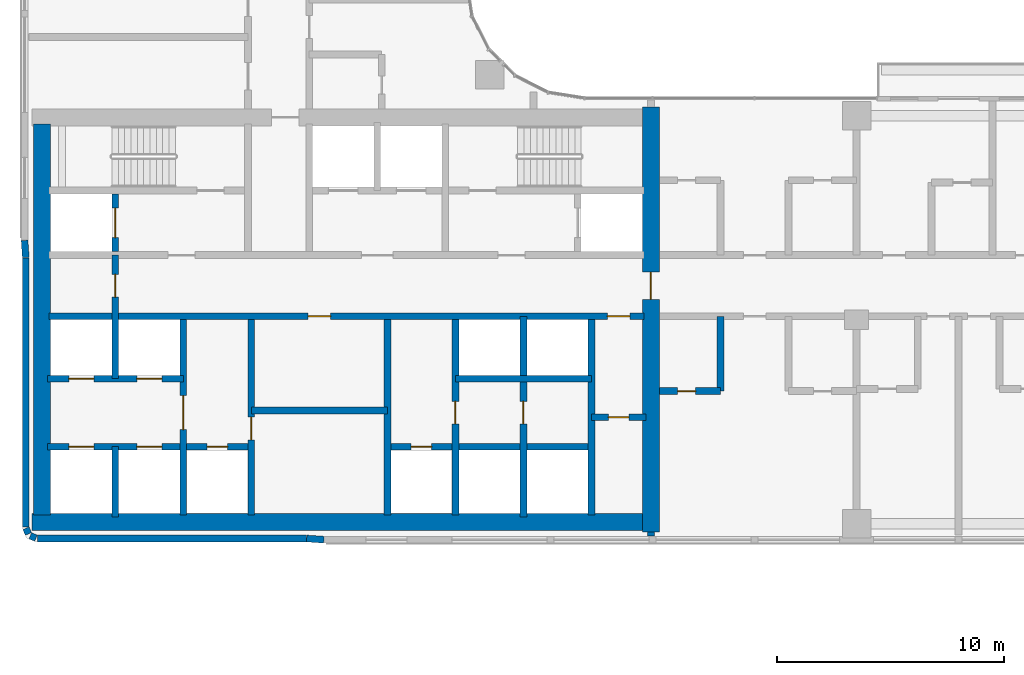
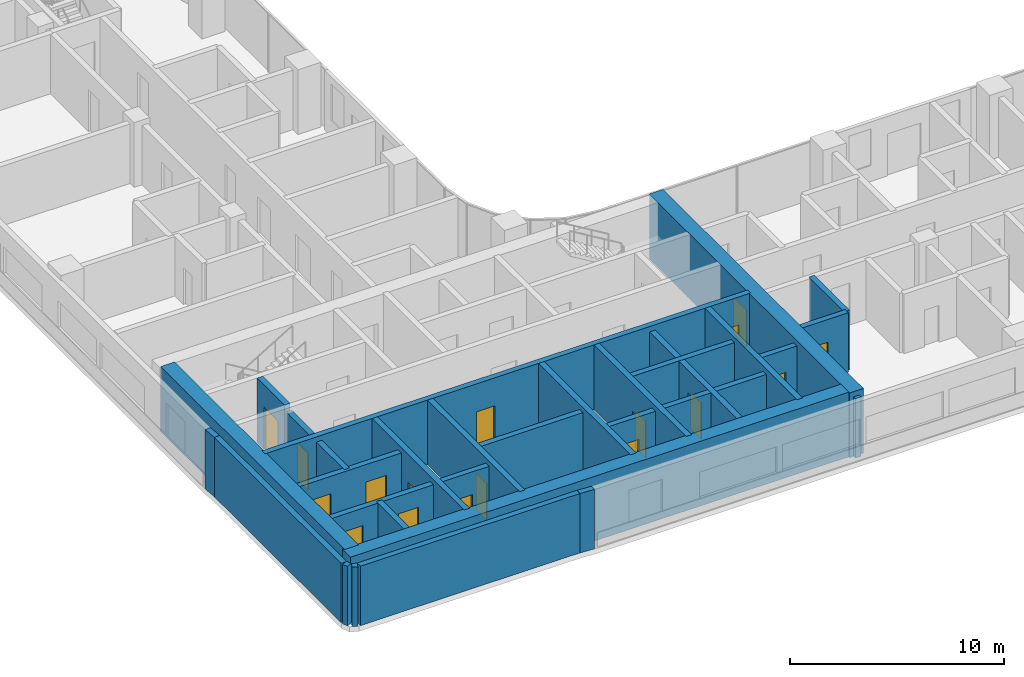
# One storey, part 18 of 35: 28 walls, 17 doors, 17 openings.
"""IFC4 building model written with IfcOpenShell, lengths in metres."""

import ifcopenshell
import ifcopenshell.guid

model = None  # the IFC model being written
_history = None  # IfcOwnerHistory: only IFC2X3 demands one
_inside = {}  # id of a spatial element -> (the spatial element, [elements in it])
_under = {}  # id of a project, library or spatial element -> (it, [spatial elements below it])
_declared = {}  # id of a project -> (the project, [libraries it declares])
_typed = {}  # id of a type object -> (the type object, [elements of that type])
_made_of = {}  # id of a material, layer set ... -> (it, [elements and type objects made of it])


def new_model(schema):
    """Start an empty IFC model of exactly this schema.

    Asked for "IFC4X3", IfcOpenShell would pick the latest addendum, in which some entities
    have other attributes; the version numbers below select the first issue.
    IFC2X3 requires an IfcOwnerHistory on every rooted entity: one is made here for all.
    """
    global model, _history
    if schema == "IFC4X3":
        model = ifcopenshell.file(schema_version=(4, 3, 0, 0))
    else:
        model = ifcopenshell.file(schema=schema)
    _inside.clear()
    _under.clear()
    _declared.clear()
    _typed.clear()
    _made_of.clear()
    _history = None
    if model.schema == "IFC2X3":
        org = make("IfcOrganization", Name="unknown")
        user = make(
            "IfcPersonAndOrganization",
            ThePerson=make("IfcPerson", FamilyName="unknown"),
            TheOrganization=org,
        )
        app = make(
            "IfcApplication",
            ApplicationDeveloper=org,
            Version="unknown",
            ApplicationFullName="unknown",
            ApplicationIdentifier="unknown",
        )
        _history = make(
            "IfcOwnerHistory",
            OwningUser=user,
            OwningApplication=app,
            ChangeAction="ADDED",
            CreationDate=0,
        )
    return model


def make(cls, **values):
    """One entity of the class cls with the attributes given. An attribute that is None is left unset."""
    return model.create_entity(
        cls, **{name: value for name, value in values.items() if value is not None}
    )


def rooted(cls, **values):
    """An entity with a GlobalId (a new one), such as an element, a storey or a relation."""
    return make(cls, GlobalId=ifcopenshell.guid.new(), OwnerHistory=_history, **values)


def si_unit(unit_type, name, prefix=None):
    """IfcSIUnit, for example si_unit("LENGTHUNIT", "METRE", prefix="MILLI")."""
    return make("IfcSIUnit", UnitType=unit_type, Prefix=prefix, Name=name)


def assignment(units):
    """IfcUnitAssignment: the units of a project."""
    return None if units is None else make("IfcUnitAssignment", Units=units)


def point(xyz):
    """IfcCartesianPoint."""
    return None if xyz is None else make("IfcCartesianPoint", Coordinates=xyz)


def direction(xyz):
    """IfcDirection."""
    return None if xyz is None else make("IfcDirection", DirectionRatios=xyz)


def frame(location, z_axis=None, x_axis=None):
    """IfcAxis2Placement3D, a coordinate frame: its origin and axes. An axis left out is left unset."""
    return make(
        "IfcAxis2Placement3D",
        Location=point(location),
        Axis=direction(z_axis),
        RefDirection=direction(x_axis),
    )


def frame_2d(location, x_axis=None):
    """IfcAxis2Placement2D, a coordinate frame in the plane: its origin and x axis."""
    return make(
        "IfcAxis2Placement2D", Location=point(location), RefDirection=direction(x_axis)
    )


def origin():
    """The frame at (0, 0, 0) with its axes left unset."""
    return frame((0.0, 0.0, 0.0))


def place(relative_to, where):
    """IfcLocalPlacement: puts the frame where relative to a parent placement (None: the world)."""
    return make(
        "IfcLocalPlacement", PlacementRelTo=relative_to, RelativePlacement=where
    )


def context(
    kind, dimensions, precision=None, world=None, true_north=None, identifier=None
):
    """IfcGeometricRepresentationContext, for example the 3D "Model" context."""
    return make(
        "IfcGeometricRepresentationContext",
        ContextIdentifier=identifier,
        ContextType=kind,
        CoordinateSpaceDimension=dimensions,
        Precision=precision,
        WorldCoordinateSystem=world,
        TrueNorth=true_north,
    )


def subcontext(parent, identifier, kind, view, scale=None):
    """IfcGeometricRepresentationSubContext, for example "Body" below "Model"."""
    return make(
        "IfcGeometricRepresentationSubContext",
        ContextIdentifier=identifier,
        ContextType=kind,
        ParentContext=parent,
        TargetScale=scale,
        TargetView=view,
    )


def project(units=None, contexts=None):
    """IfcProject with its units and contexts."""
    return rooted(
        "IfcProject",
        Name="project",
        RepresentationContexts=contexts,
        UnitsInContext=assignment(units),
    )


def spatial(cls, under=None, at=None, **own):
    """A site, building, storey or space (cls), placed at a placement, below another one or the project."""
    s = rooted(cls, ObjectPlacement=at, **own)
    if under is not None:
        _under.setdefault(under.id(), (under, []))[1].append(s)
    return s


def profile(cls, at=None, kind="AREA", **sizes):
    """A parametric profile (cls). Its sizes go by their IFC names, for example OverallWidth=200.0."""
    return make(cls, ProfileType=kind, Position=at, **sizes)


def rectangle(**sizes):
    """IfcRectangleProfileDef."""
    return profile("IfcRectangleProfileDef", **sizes)


def extrude(swept, where, along, depth):
    """IfcExtrudedAreaSolid: the profile swept, set in the frame where, extruded along a direction by depth."""
    return make(
        "IfcExtrudedAreaSolid",
        SweptArea=swept,
        Position=where,
        ExtrudedDirection=direction(along),
        Depth=depth,
    )


def shape(context_of_items, identifier, shape_type, items):
    """IfcShapeRepresentation: the items that make up one representation, for example the "Body"."""
    return make(
        "IfcShapeRepresentation",
        ContextOfItems=context_of_items,
        RepresentationIdentifier=identifier,
        RepresentationType=shape_type,
        Items=items,
    )


def material(Name=None, Category=None):
    """IfcMaterial."""
    return make("IfcMaterial", Name=Name, Category=Category)


def layer(
    of_material, thickness, ventilated=None, Name=None, Category=None, Priority=None
):
    """IfcMaterialLayer: one layer of a wall or slab, of a material (None: an air gap)."""
    return make(
        "IfcMaterialLayer",
        Material=of_material,
        LayerThickness=thickness,
        IsVentilated=ventilated,
        Name=Name,
        Category=Category,
        Priority=Priority,
    )


def layer_set(layers, Name=None):
    """IfcMaterialLayerSet."""
    return make("IfcMaterialLayerSet", MaterialLayers=layers, LayerSetName=Name)


def made_of(thing, what):
    """Note that an element or type object is made of a material, layer set ...; save() writes the relation."""
    if what is not None:
        _made_of.setdefault(what.id(), (what, []))[1].append(thing)
    return thing


def type_object(cls, material=None, **own):
    """A type object (cls), such as IfcWallType, which elements share."""
    return made_of(rooted(cls, **own), material)


def element(
    cls,
    number,
    at=None,
    inside=None,
    cuts=None,
    type_object=None,
    material=None,
    context=None,
    identifier="Body",
    shape_type=None,
    held_by="IfcProductDefinitionShape",
    body=None,
    shapes=None,
    **own,
):
    """One element of the class cls, such as IfcWall. Its Tag is "e" and its number.

    at: its placement. inside: the storey or other place that contains it. cuts: it is an
    opening in that element (IfcRelVoidsElement). A single representation is given by context,
    identifier, shape_type and body (its items); several are given by shapes. held_by: the class
    of the entity that holds the representations. save() writes the other relations.
    """
    e = rooted(cls, Tag="e%d" % number, ObjectPlacement=at, **own)
    if body is not None:
        shapes = [shape(context, identifier, shape_type, body)]
    if shapes is not None:
        e.Representation = make(held_by, Representations=shapes)
    if inside is not None:
        _inside.setdefault(inside.id(), (inside, []))[1].append(e)
    if cuts is not None:
        rooted(
            "IfcRelVoidsElement", RelatingBuildingElement=cuts, RelatedOpeningElement=e
        )
    if type_object is not None:
        _typed.setdefault(type_object.id(), (type_object, []))[1].append(e)
    return made_of(e, material)


def fill(opening, filler):
    """IfcRelFillsElement: the door or window that sits in an opening."""
    return rooted(
        "IfcRelFillsElement",
        RelatingOpeningElement=opening,
        RelatedBuildingElement=filler,
    )


def aggregate(whole, parts):
    """IfcRelAggregates: a whole, such as a stair, and the parts it consists of."""
    return rooted("IfcRelAggregates", RelatingObject=whole, RelatedObjects=parts)


def save(model, path):
    """Write the relations noted so far, then the file.

    IfcRelAggregates (storeys below a building ...), IfcRelContainedInSpatialStructure (elements
    in a storey), IfcRelDefinesByType, IfcRelAssociatesMaterial and IfcRelDeclares: one each for
    every whole, place, type object, material and project.
    """
    for whole, parts in _under.values():
        aggregate(whole, parts)
    for where, things in _inside.values():
        rooted(
            "IfcRelContainedInSpatialStructure",
            RelatedElements=things,
            RelatingStructure=where,
        )
    for kind, things in _typed.values():
        rooted("IfcRelDefinesByType", RelatedObjects=things, RelatingType=kind)
    for what, things in _made_of.values():
        rooted("IfcRelAssociatesMaterial", RelatedObjects=things, RelatingMaterial=what)
    for by, libraries in _declared.values():
        rooted("IfcRelDeclares", RelatingContext=by, RelatedDefinitions=libraries)
    model.write(path)


model = new_model("IFC4")

# Units and contexts
model_context = context("Model", 3, precision=1e-05, world=origin(), true_north=direction((0.0, 1.0)))
body_context = subcontext(model_context, "Body", "Model", "MODEL_VIEW")
ifc_project = project(units=[si_unit("LENGTHUNIT", "METRE"), si_unit("AREAUNIT", "SQUARE_METRE"), si_unit("VOLUMEUNIT", "CUBIC_METRE"), si_unit("PLANEANGLEUNIT", "RADIAN"), si_unit("MASSUNIT", "GRAM", prefix="KILO")], contexts=[model_context])

# Site, building, storey
site_placement = place(None, origin())
site = spatial("IfcSite", under=ifc_project, at=site_placement, CompositionType="ELEMENT")
building_placement = place(site_placement, origin())
building = spatial("IfcBuilding", under=site, at=building_placement, Name="Ogive Portal Towers", CompositionType="ELEMENT")
storey_placement = place(building_placement, frame((0.0, 0.0, 90.800048828125)))
storey = spatial("IfcBuildingStorey", under=building, at=storey_placement, Name="L21", CompositionType="ELEMENT", Elevation=90.800048828125)

# Wall, opening, door
ifc_material_1 = material(Name="Concrete C60/75", Category="concrete")
ifc_layer_1 = layer(ifc_material_1, 0.300048828125)
ifc_layer_set_1 = layer_set([ifc_layer_1], Name="CORE WALL 300 C60")
wall_type_1 = type_object("IfcWallType", Name="CORE WALL 300 C60", PredefinedType="SHEAR", material=ifc_layer_set_1)
wall_1_placement = place(storey_placement, frame((37.800048828125, 21.875, 0.0), z_axis=(0.0, 0.0, 1.0), x_axis=(0.0, 1.0, 0.0)))
wall_1 = element("IfcWall", 1, at=wall_1_placement, inside=storey, type_object=wall_type_1, Name="Core wall X1 L21", PredefinedType="SHEAR", context=body_context, shape_type="SweptSolid", body=[
    extrude(rectangle(XDim=8.625, YDim=0.300048828125, at=frame_2d((4.3125, 0.0))), origin(), (0.0, 0.0, 1.0), 3.699951171875),
])
opening_1_placement = place(wall_1_placement, frame((3.77490234375, 0.0, 0.0)))
opening_1 = element("IfcOpeningElement", 2, at=opening_1_placement, cuts=wall_1, Name="Opening D07-001", PredefinedType="OPENING", context=body_context, shape_type="SweptSolid", body=[
    extrude(rectangle(XDim=1.5, YDim=2.10009765625, at=frame_2d((0.75, 1.050048828125))), frame((0.0, 0.16015625, 0.0), z_axis=(0.0, -1.0, 0.0), x_axis=(1.0, 0.0, 0.0)), (0.0, 0.0, 1.0), 0.320068359375),
])
ifc_material_2 = material(Name="Steel fire door", Category="steel")
door_type_1 = type_object("IfcDoorType", Name="DT-SWING-1500x2100-FD90S", OperationType="SINGLE_SWING_LEFT", PredefinedType="DOOR", material=ifc_material_2)
door_1_placement = place(opening_1_placement, origin())
door_1 = element("IfcDoor", 3, at=door_1_placement, inside=storey, type_object=door_type_1, Name="Door D07-001", OperationType="SINGLE_SWING_LEFT", OverallHeight=2.10009765625, OverallWidth=1.5, PredefinedType="DOOR", context=body_context, shape_type="SweptSolid", body=[
    extrude(rectangle(XDim=1.5, YDim=2.10009765625, at=frame_2d((0.75, 1.050048828125))), frame((0.0, 0.02490234375, 0.0), z_axis=(0.0, -1.0, 0.0), x_axis=(1.0, 0.0, 0.0)), (0.0, 0.0, 1.0), 0.050048828125),
])
fill(opening_1, door_1)

wall_2_placement = place(storey_placement, frame((40.800048828125, 21.875, 0.0), z_axis=(0.0, 0.0, 1.0), x_axis=(0.0, 1.0, 0.0)))
wall_2 = element("IfcWall", 4, at=wall_2_placement, inside=storey, type_object=wall_type_1, Name="Core wall X2 L21", PredefinedType="SHEAR", context=body_context, shape_type="SweptSolid", body=[
    extrude(rectangle(XDim=8.625, YDim=0.300048828125, at=frame_2d((4.3125, 0.0))), origin(), (0.0, 0.0, 1.0), 3.699951171875),
])
opening_2_placement = place(wall_2_placement, frame((3.324951171875, 0.0, 0.0)))
opening_2 = element("IfcOpeningElement", 5, at=opening_2_placement, cuts=wall_2, Name="Opening D07-022", PredefinedType="OPENING", context=body_context, shape_type="SweptSolid", body=[
    extrude(rectangle(XDim=1.0, YDim=2.10009765625, at=frame_2d((0.5, 1.050048828125))), frame((0.0, 0.16015625, 0.0), z_axis=(0.0, -1.0, 0.0), x_axis=(1.0, 0.0, 0.0)), (0.0, 0.0, 1.0), 0.320068359375),
])
door_type_2 = type_object("IfcDoorType", Name="DT-SWING-1000x2100-FD90S", OperationType="SINGLE_SWING_LEFT", PredefinedType="DOOR", material=ifc_material_2)
door_2_placement = place(opening_2_placement, origin())
door_2 = element("IfcDoor", 6, at=door_2_placement, inside=storey, type_object=door_type_2, Name="Door D07-022", OperationType="SINGLE_SWING_RIGHT", OverallHeight=2.10009765625, OverallWidth=1.0, PredefinedType="DOOR", context=body_context, shape_type="SweptSolid", body=[
    extrude(rectangle(XDim=1.0, YDim=2.10009765625, at=frame_2d((0.5, 1.050048828125))), frame((0.0, 0.02490234375, 0.0), z_axis=(0.0, -1.0, 0.0), x_axis=(1.0, 0.0, 0.0)), (0.0, 0.0, 1.0), 0.050048828125),
])
fill(opening_2, door_2)

# Wall
wall_3_placement = place(storey_placement, frame((46.800048828125, 21.875, 0.0), z_axis=(0.0, 0.0, 1.0), x_axis=(0.0, 1.0, 0.0)))
element("IfcWall", 7, at=wall_3_placement, inside=storey, type_object=wall_type_1, Name="Core wall X3 L21", PredefinedType="SHEAR", context=body_context, shape_type="SweptSolid", body=[
    extrude(rectangle(XDim=8.625, YDim=0.300048828125, at=frame_2d((4.3125, 0.0))), origin(), (0.0, 0.0, 1.0), 3.699951171875),
])

# Wall, opening, door
wall_4_placement = place(storey_placement, frame((49.800048828125, 21.875, 0.0), z_axis=(0.0, 0.0, 1.0), x_axis=(0.0, 1.0, 0.0)))
wall_4 = element("IfcWall", 8, at=wall_4_placement, inside=storey, type_object=wall_type_1, Name="Core wall X4 L21", PredefinedType="SHEAR", context=body_context, shape_type="SweptSolid", body=[
    extrude(rectangle(XDim=8.625, YDim=0.300048828125, at=frame_2d((4.3125, 0.0))), origin(), (0.0, 0.0, 1.0), 3.699951171875),
])
opening_3_placement = place(wall_4_placement, frame((4.02490234375, 0.0, 0.0)))
opening_3 = element("IfcOpeningElement", 9, at=opening_3_placement, cuts=wall_4, Name="Opening D07-023", PredefinedType="OPENING", context=body_context, shape_type="SweptSolid", body=[
    extrude(rectangle(XDim=1.0, YDim=2.10009765625, at=frame_2d((0.5, 1.050048828125))), frame((0.0, 0.16015625, 0.0), z_axis=(0.0, -1.0, 0.0), x_axis=(1.0, 0.0, 0.0)), (0.0, 0.0, 1.0), 0.320068359375),
])
door_3_placement = place(opening_3_placement, origin())
door_3 = element("IfcDoor", 10, at=door_3_placement, inside=storey, type_object=door_type_2, Name="Door D07-023", OperationType="SINGLE_SWING_LEFT", OverallHeight=2.10009765625, OverallWidth=1.0, PredefinedType="DOOR", context=body_context, shape_type="SweptSolid", body=[
    extrude(rectangle(XDim=1.0, YDim=2.10009765625, at=frame_2d((0.5, 1.050048828125))), frame((0.0, 0.02490234375, 0.0), z_axis=(0.0, -1.0, 0.0), x_axis=(1.0, 0.0, 0.0)), (0.0, 0.0, 1.0), 0.050048828125),
])
fill(opening_3, door_3)

# Wall
wall_5_placement = place(storey_placement, frame((55.800048828125, 21.875, 0.0), z_axis=(0.0, 0.0, 1.0), x_axis=(0.0, 1.0, 0.0)))
element("IfcWall", 11, at=wall_5_placement, inside=storey, type_object=wall_type_1, Name="Core wall X5 L21", PredefinedType="SHEAR", context=body_context, shape_type="SweptSolid", body=[
    extrude(rectangle(XDim=8.625, YDim=0.300048828125, at=frame_2d((4.3125, 0.0))), origin(), (0.0, 0.0, 1.0), 3.699951171875),
])

# Wall, openings, doors
wall_6_placement = place(storey_placement, frame((31.875, 30.64990234375, 0.0), z_axis=(0.0, 0.0, 1.0), x_axis=(1.0, 0.0, 0.0)))
wall_6 = element("IfcWall", 12, at=wall_6_placement, inside=storey, type_object=wall_type_1, Name="Core wall Y1 L21", PredefinedType="SHEAR", context=body_context, shape_type="SweptSolid", body=[
    extrude(rectangle(XDim=26.25, YDim=0.300048828125, at=frame_2d((13.125, 0.0))), origin(), (0.0, 0.0, 1.0), 3.699951171875),
])
opening_4_placement = place(wall_6_placement, frame((24.625, 0.0, 0.0)))
opening_4 = element("IfcOpeningElement", 13, at=opening_4_placement, cuts=wall_6, Name="Opening D07-009", PredefinedType="OPENING", context=body_context, shape_type="SweptSolid", body=[
    extrude(rectangle(XDim=1.0, YDim=2.10009765625, at=frame_2d((0.5, 1.050048828125))), frame((0.0, 0.16015625, 0.0), z_axis=(0.0, -1.0, 0.0), x_axis=(1.0, 0.0, 0.0)), (0.0, 0.0, 1.0), 0.320068359375),
])
opening_5_placement = place(wall_6_placement, frame((11.425048828125, 0.0, 0.0)))
opening_5 = element("IfcOpeningElement", 14, at=opening_5_placement, cuts=wall_6, Name="Opening D07-021", PredefinedType="OPENING", context=body_context, shape_type="SweptSolid", body=[
    extrude(rectangle(XDim=1.0, YDim=2.10009765625, at=frame_2d((0.5, 1.050048828125))), frame((0.0, 0.16015625, 0.0), z_axis=(0.0, -1.0, 0.0), x_axis=(1.0, 0.0, 0.0)), (0.0, 0.0, 1.0), 0.320068359375),
])
door_4_placement = place(opening_4_placement, origin())
door_4 = element("IfcDoor", 15, at=door_4_placement, inside=storey, type_object=door_type_2, Name="Door D07-009", OperationType="SINGLE_SWING_LEFT", OverallHeight=2.10009765625, OverallWidth=1.0, PredefinedType="DOOR", context=body_context, shape_type="SweptSolid", body=[
    extrude(rectangle(XDim=1.0, YDim=2.10009765625, at=frame_2d((0.5, 1.050048828125))), frame((0.0, 0.02490234375, 0.0), z_axis=(0.0, -1.0, 0.0), x_axis=(1.0, 0.0, 0.0)), (0.0, 0.0, 1.0), 0.050048828125),
])
fill(opening_4, door_4)
door_5_placement = place(opening_5_placement, origin())
door_5 = element("IfcDoor", 16, at=door_5_placement, inside=storey, type_object=door_type_2, Name="Door D07-021", OperationType="SINGLE_SWING_LEFT", OverallHeight=2.10009765625, OverallWidth=1.0, PredefinedType="DOOR", context=body_context, shape_type="SweptSolid", body=[
    extrude(rectangle(XDim=1.0, YDim=2.10009765625, at=frame_2d((0.5, 1.050048828125))), frame((0.0, 0.02490234375, 0.0), z_axis=(0.0, -1.0, 0.0), x_axis=(1.0, 0.0, 0.0)), (0.0, 0.0, 1.0), 0.050048828125),
])
fill(opening_5, door_5)

# Wall, opening, door
wall_7_placement = place(storey_placement, frame((34.800048828125, 33.5, 0.0), z_axis=(0.0, 0.0, 1.0), x_axis=(0.0, 1.0, 0.0)))
wall_7 = element("IfcWall", 17, at=wall_7_placement, inside=storey, type_object=wall_type_1, Name="Core wall X8 L21", PredefinedType="SHEAR", context=body_context, shape_type="SweptSolid", body=[
    extrude(rectangle(XDim=2.550048828125, YDim=0.300048828125, at=frame_2d((1.27490234375, 0.0))), origin(), (0.0, 0.0, 1.0), 3.699951171875),
])
opening_6_placement = place(wall_7_placement, frame((0.625, 0.0, 0.0)))
opening_6 = element("IfcOpeningElement", 18, at=opening_6_placement, cuts=wall_7, Name="Opening D07-019", PredefinedType="OPENING", context=body_context, shape_type="SweptSolid", body=[
    extrude(rectangle(XDim=1.300048828125, YDim=2.39990234375, at=frame_2d((0.64990234375, 1.199951171875))), frame((0.0, 0.16015625, 0.0), z_axis=(0.0, -1.0, 0.0), x_axis=(1.0, 0.0, 0.0)), (0.0, 0.0, 1.0), 0.320068359375),
])
ifc_material_3 = material(Name="Stainless steel", Category="steel")
door_type_3 = type_object("IfcDoorType", Name="DT-LD-1300x2400", OperationType="SLIDING_TO_LEFT", PredefinedType="DOOR", material=ifc_material_3)
door_6_placement = place(opening_6_placement, origin())
door_6 = element("IfcDoor", 19, at=door_6_placement, inside=storey, type_object=door_type_3, Name="Door D07-019", OperationType="SLIDING_TO_LEFT", OverallHeight=2.39990234375, OverallWidth=1.300048828125, PredefinedType="DOOR", context=body_context, shape_type="SweptSolid", body=[
    extrude(rectangle(XDim=1.300048828125, YDim=2.39990234375, at=frame_2d((0.64990234375, 1.199951171875))), frame((0.0, 0.02490234375, 0.0), z_axis=(0.0, -1.0, 0.0), x_axis=(1.0, 0.0, 0.0)), (0.0, 0.0, 1.0), 0.050048828125),
])
fill(opening_6, door_6)

# Walls
ifc_layer_2 = layer(ifc_material_1, 0.75)
ifc_layer_set_2 = layer_set([ifc_layer_2], Name="CORE WALL 750 C60")
wall_type_2 = type_object("IfcWallType", Name="CORE WALL 750 C60", PredefinedType="SHEAR", material=ifc_layer_set_2)
wall_8_placement = place(storey_placement, frame((31.574951171875, 21.875, 0.0), z_axis=(0.0, 0.0, 1.0), x_axis=(0.0, 1.0, 0.0)))
element("IfcWall", 20, at=wall_8_placement, inside=storey, type_object=wall_type_2, Name="Core wall W L21", PredefinedType="SHEAR", context=body_context, shape_type="SweptSolid", body=[
    extrude(rectangle(XDim=17.25, YDim=0.75, at=frame_2d((8.625, 0.0))), origin(), (0.0, 0.0, 1.0), 3.699951171875),
])
wall_9_placement = place(storey_placement, frame((31.125, 21.574951171875, 0.0), z_axis=(0.0, 0.0, 1.0), x_axis=(1.0, 0.0, 0.0)))
element("IfcWall", 21, at=wall_9_placement, inside=storey, type_object=wall_type_2, Name="Core wall S L21", PredefinedType="SHEAR", context=body_context, shape_type="SweptSolid", body=[
    extrude(rectangle(XDim=27.0, YDim=0.75, at=frame_2d((13.5, 0.0))), origin(), (0.0, 0.0, 1.0), 3.699951171875),
])

# Wall, opening, door
wall_10_placement = place(storey_placement, frame((58.425048828125, 21.125, 0.0), z_axis=(0.0, 0.0, 1.0), x_axis=(0.0, 1.0, 0.0)))
wall_10 = element("IfcWall", 22, at=wall_10_placement, inside=storey, type_object=wall_type_2, Name="Core wall E L21", PredefinedType="SHEAR", context=body_context, shape_type="SweptSolid", body=[
    extrude(rectangle(XDim=18.75, YDim=0.75, at=frame_2d((9.375, 0.0))), origin(), (0.0, 0.0, 1.0), 3.699951171875),
])
opening_7_placement = place(wall_10_placement, frame((10.27490234375, 0.0, 0.0)))
opening_7 = element("IfcOpeningElement", 23, at=opening_7_placement, cuts=wall_10, Name="Opening D07-011", PredefinedType="OPENING", context=body_context, shape_type="SweptSolid", body=[
    extrude(rectangle(XDim=1.199951171875, YDim=2.10009765625, at=frame_2d((0.60009765625, 1.050048828125))), frame((0.0, 0.385009765625, 0.0), z_axis=(0.0, -1.0, 0.0), x_axis=(1.0, 0.0, 0.0)), (0.0, 0.0, 1.0), 0.77001953125),
])
door_type_4 = type_object("IfcDoorType", Name="DT-SWING-1200x2100-FD90S", OperationType="SINGLE_SWING_LEFT", PredefinedType="DOOR", material=ifc_material_2)
door_7_placement = place(opening_7_placement, origin())
door_7 = element("IfcDoor", 24, at=door_7_placement, inside=storey, type_object=door_type_4, Name="Door D07-011", OperationType="SINGLE_SWING_LEFT", OverallHeight=2.10009765625, OverallWidth=1.199951171875, PredefinedType="DOOR", context=body_context, shape_type="SweptSolid", body=[
    extrude(rectangle(XDim=1.199951171875, YDim=2.10009765625, at=frame_2d((0.60009765625, 1.050048828125))), frame((0.0, 0.02490234375, 0.0), z_axis=(0.0, -1.0, 0.0), x_axis=(1.0, 0.0, 0.0)), (0.0, 0.0, 1.0), 0.050048828125),
])
fill(opening_7, door_7)

# Walls
ifc_material_4 = material(Name="Limestone cladding on lightweight block wall", Category="masonry")
ifc_layer_3 = layer(ifc_material_4, 0.300048828125)
ifc_layer_set_3 = layer_set([ifc_layer_3], Name="EXTERNAL WALL 300 STONE")
wall_type_3 = type_object("IfcWallType", Name="EXTERNAL WALL 300 STONE", PredefinedType="SOLIDWALL", material=ifc_layer_set_3)
wall_11_placement = place(storey_placement, frame((30.85009765625, 33.23095703125, 0.0), z_axis=(0.0, 0.0, 1.0), x_axis=(0.0, -1.0, 0.0)))
element("IfcWall", 25, at=wall_11_placement, inside=storey, type_object=wall_type_3, Name="A:L21:f00:r0:wall", PredefinedType="SOLIDWALL", context=body_context, shape_type="SweptSolid", body=[
    extrude(rectangle(XDim=11.871337890625, YDim=0.300048828125, at=frame_2d((5.935546875, 0.0))), origin(), (0.0, 0.0, 1.0), 3.39990234375),
])
for number, where, z_axis, x_axis, name in (
    (26, (30.861328125, 21.30224609375, 0.0), (0.0, 0.0, 1.0), (0.38297812142, -0.923757413239, 0.0), "A:L21:f01:r0:wall"),
    (27, (31.0478515625, 20.966796875, 0.0), (0.0, 0.0, 1.0), (0.923757413239, -0.38297812142, 0.0), "A:L21:f02:r0:wall"),
):
    element("IfcWall", number, at=place(storey_placement, frame(where, z_axis=z_axis, x_axis=x_axis)), inside=storey, type_object=wall_type_3, Name=name, PredefinedType="SOLIDWALL", context=body_context, shape_type="SweptSolid", body=[
        extrude(rectangle(XDim=0.275390625, YDim=0.300048828125, at=frame_2d((0.1376953125, 0.0))), origin(), (0.0, 0.0, 1.0), 3.39990234375),
    ])
wall_12_placement = place(storey_placement, frame((31.359619140625, 20.85009765625, 0.0), z_axis=(0.0, 0.0, 1.0), x_axis=(1.0, 0.0, 0.0)))
element("IfcWall", 28, at=wall_12_placement, inside=storey, type_object=wall_type_3, Name="A:L21:f03:r0:wall", PredefinedType="SOLIDWALL", context=body_context, shape_type="SweptSolid", body=[
    extrude(rectangle(XDim=11.871337890625, YDim=0.300048828125, at=frame_2d((5.935546875, 0.0))), origin(), (0.0, 0.0, 1.0), 3.39990234375),
])
for number, where, z_axis, x_axis, name in (
    (29, (43.24169921875, 20.849609375, 0.0), (0.0, 0.0, 1.0), (0.997455438499, -0.07129269393, 0.0), "A:L21:f04:r0:wall"),
    (30, (30.79541015625, 34.0, 0.0), (0.0, 0.0, 1.0), (0.07129269393, -0.997455438499, 0.0), "A:L21:f25:r0:wall"),
):
    element("IfcWall", number, at=place(storey_placement, frame(where, z_axis=z_axis, x_axis=x_axis)), inside=storey, type_object=wall_type_3, Name=name, PredefinedType="SOLIDWALL", context=body_context, shape_type="SweptSolid", body=[
        extrude(rectangle(XDim=0.76025390625, YDim=0.300048828125, at=frame_2d((0.380126953125, 0.0))), origin(), (0.0, 0.0, 1.0), 3.39990234375),
    ])

# Wall, opening, door
ifc_material_5 = material(Name="Gypsum board partition on steel studs", Category="steel")
ifc_layer_4 = layer(ifc_material_5, 0.300048828125)
ifc_layer_set_4 = layer_set([ifc_layer_4], Name="WT-PART-300")
wall_type_4 = type_object("IfcWallType", Name="WT-PART-300", PredefinedType="PARTITIONING", material=ifc_layer_set_4)
wall_13_placement = place(storey_placement, frame((55.800048828125, 26.199951171875, 0.0), z_axis=(0.0, 0.0, 1.0), x_axis=(1.0, 0.0, 0.0)))
wall_13 = element("IfcWall", 31, at=wall_13_placement, inside=storey, type_object=wall_type_4, Name="Wall pw:003:L21", PredefinedType="PARTITIONING", context=body_context, shape_type="SweptSolid", body=[
    extrude(rectangle(XDim=2.39990234375, YDim=0.300048828125, at=frame_2d((1.199951171875, 0.0))), origin(), (0.0, 0.0, 1.0), 3.39990234375),
])
opening_8_placement = place(wall_13_placement, frame((0.75, 0.0, 0.0)))
opening_8 = element("IfcOpeningElement", 32, at=opening_8_placement, cuts=wall_13, Name="Opening D07-010", PredefinedType="OPENING", context=body_context, shape_type="SweptSolid", body=[
    extrude(rectangle(XDim=0.89990234375, YDim=2.10009765625, at=frame_2d((0.449951171875, 1.050048828125))), frame((0.0, 0.16015625, 0.0), z_axis=(0.0, -1.0, 0.0), x_axis=(1.0, 0.0, 0.0)), (0.0, 0.0, 1.0), 0.320068359375),
])
door_type_5 = type_object("IfcDoorType", Name="DT-SWING-900x2100-FD60S", OperationType="SINGLE_SWING_LEFT", PredefinedType="DOOR", material=ifc_material_2)
door_8_placement = place(opening_8_placement, origin())
door_8 = element("IfcDoor", 33, at=door_8_placement, inside=storey, type_object=door_type_5, Name="Door D07-010", OperationType="SINGLE_SWING_RIGHT", OverallHeight=2.10009765625, OverallWidth=0.89990234375, PredefinedType="DOOR", context=body_context, shape_type="SweptSolid", body=[
    extrude(rectangle(XDim=0.89990234375, YDim=2.10009765625, at=frame_2d((0.449951171875, 1.050048828125))), frame((0.0, 0.02490234375, 0.0), z_axis=(0.0, -1.0, 0.0), x_axis=(1.0, 0.0, 0.0)), (0.0, 0.0, 1.0), 0.050048828125),
])
fill(opening_8, door_8)

# Walls
wall_14_placement = place(storey_placement, frame((40.800048828125, 26.5, 0.0), z_axis=(0.0, 0.0, 1.0), x_axis=(1.0, 0.0, 0.0)))
element("IfcWall", 34, at=wall_14_placement, inside=storey, type_object=wall_type_4, Name="Wall pw:004:L21", PredefinedType="PARTITIONING", context=body_context, shape_type="SweptSolid", body=[
    extrude(rectangle(XDim=6.0, YDim=0.300048828125, at=frame_2d((3.0, 0.0))), origin(), (0.0, 0.0, 1.0), 3.39990234375),
])
ifc_layer_5 = layer(ifc_material_5, 0.300048828125)
ifc_layer_set_5 = layer_set([ifc_layer_5], Name="WT-PART-300-EI 120")
wall_type_5 = type_object("IfcWallType", Name="WT-PART-300-EI 120", PredefinedType="PARTITIONING", material=ifc_layer_set_5)
wall_15_placement = place(storey_placement, frame((58.425048828125, 21.125, 0.0), z_axis=(0.0, 0.0, 1.0), x_axis=(0.0, -1.0, 0.0)))
element("IfcWall", 35, at=wall_15_placement, inside=storey, type_object=wall_type_5, Name="Wall L21:wc01", PredefinedType="PARTITIONING", context=body_context, shape_type="SweptSolid", body=[
    extrude(rectangle(XDim=0.169921875, YDim=0.300048828125, at=frame_2d((0.0849609375, 0.0))), origin(), (0.0, 0.0, 1.0), 3.39990234375),
])

# Wall, opening, door
ifc_layer_6 = layer(ifc_material_5, 0.300048828125)
ifc_layer_set_6 = layer_set([ifc_layer_6], Name="WT-PART-300-EI 60")
wall_type_6 = type_object("IfcWallType", Name="WT-PART-300-EI 60", PredefinedType="PARTITIONING", material=ifc_layer_set_6)
wall_16_placement = place(storey_placement, frame((58.800048828125, 27.35009765625, 0.0), z_axis=(0.0, 0.0, 1.0), x_axis=(1.0, 0.0, 0.0)))
wall_16 = element("IfcWall", 36, at=wall_16_placement, inside=storey, type_object=wall_type_6, Name="Wall L21:w002", PredefinedType="PARTITIONING", context=body_context, shape_type="SweptSolid", body=[
    extrude(rectangle(XDim=2.699951171875, YDim=0.300048828125, at=frame_2d((1.35009765625, 0.0))), origin(), (0.0, 0.0, 1.0), 3.39990234375),
])
opening_9_placement = place(wall_16_placement, frame((0.800048828125, 0.0, 0.0)))
opening_9 = element("IfcOpeningElement", 37, at=opening_9_placement, cuts=wall_16, Name="Opening D07-029", PredefinedType="OPENING", context=body_context, shape_type="SweptSolid", body=[
    extrude(rectangle(XDim=0.800048828125, YDim=2.10009765625, at=frame_2d((0.39990234375, 1.050048828125))), frame((0.0, 0.16015625, 0.0), z_axis=(0.0, -1.0, 0.0), x_axis=(1.0, 0.0, 0.0)), (0.0, 0.0, 1.0), 0.320068359375),
])
door_type_6 = type_object("IfcDoorType", Name="DT-BATH-800x2100-FD60S", OperationType="SINGLE_SWING_LEFT", PredefinedType="DOOR", material=ifc_material_2)
door_9_placement = place(opening_9_placement, origin())
door_9 = element("IfcDoor", 38, at=door_9_placement, inside=storey, type_object=door_type_6, Name="Door D07-029", OperationType="SINGLE_SWING_LEFT", OverallHeight=2.10009765625, OverallWidth=0.800048828125, PredefinedType="DOOR", context=body_context, shape_type="SweptSolid", body=[
    extrude(rectangle(XDim=0.800048828125, YDim=2.10009765625, at=frame_2d((0.39990234375, 1.050048828125))), frame((0.0, 0.02490234375, 0.0), z_axis=(0.0, -1.0, 0.0), x_axis=(1.0, 0.0, 0.0)), (0.0, 0.0, 1.0), 0.050048828125),
])
fill(opening_9, door_9)

# Wall
wall_17_placement = place(storey_placement, frame((61.5, 27.35009765625, 0.0), z_axis=(0.0, 0.0, 1.0), x_axis=(0.0, 1.0, 0.0)))
element("IfcWall", 39, at=wall_17_placement, inside=storey, type_object=wall_type_6, Name="Wall L21:w044", PredefinedType="PARTITIONING", context=body_context, shape_type="SweptSolid", body=[
    extrude(rectangle(XDim=3.2998046875, YDim=0.300048828125, at=frame_2d((1.64990234375, 0.0))), origin(), (0.0, 0.0, 1.0), 3.39990234375),
])

# Wall, openings, doors
ifc_material_6 = material(Name="Concrete C40/50", Category="concrete")
ifc_layer_7 = layer(ifc_material_6, 0.300048828125)
ifc_layer_set_7 = layer_set([ifc_layer_7], Name="WT-SHAFT-300")
wall_type_7 = type_object("IfcWallType", Name="WT-SHAFT-300", PredefinedType="SOLIDWALL", material=ifc_layer_set_7)
wall_18_placement = place(storey_placement, frame((31.800048828125, 24.89990234375, 0.0), z_axis=(0.0, 0.0, 1.0), x_axis=(1.0, 0.0, 0.0)))
wall_18 = element("IfcWall", 40, at=wall_18_placement, inside=storey, type_object=wall_type_7, Name="Wall pw:001:L21", PredefinedType="SOLIDWALL", context=body_context, shape_type="SweptSolid", body=[
    extrude(rectangle(XDim=9.0, YDim=0.300048828125, at=frame_2d((4.5, 0.0))), origin(), (0.0, 0.0, 1.0), 3.39990234375),
])
opening_10_placement = place(wall_18_placement, frame((7.050048828125, 0.0, 0.0)))
opening_10 = element("IfcOpeningElement", 41, at=opening_10_placement, cuts=wall_18, Name="Opening D07-007", PredefinedType="OPENING", context=body_context, shape_type="SweptSolid", body=[
    extrude(rectangle(XDim=0.89990234375, YDim=2.10009765625, at=frame_2d((0.449951171875, 1.050048828125))), frame((0.0, 0.16015625, 0.0), z_axis=(0.0, -1.0, 0.0), x_axis=(1.0, 0.0, 0.0)), (0.0, 0.0, 1.0), 0.320068359375),
])
opening_11_placement = place(wall_18_placement, frame((0.949951171875, 0.0, 0.0)))
opening_11 = element("IfcOpeningElement", 42, at=opening_11_placement, cuts=wall_18, Name="Opening D07-013", PredefinedType="OPENING", context=body_context, shape_type="SweptSolid", body=[
    extrude(rectangle(XDim=1.10009765625, YDim=2.39990234375, at=frame_2d((0.550048828125, 1.199951171875))), frame((0.0, 0.16015625, 0.0), z_axis=(0.0, -1.0, 0.0), x_axis=(1.0, 0.0, 0.0)), (0.0, 0.0, 1.0), 0.320068359375),
])
opening_12_placement = place(wall_18_placement, frame((3.949951171875, 0.0, 0.0)))
opening_12 = element("IfcOpeningElement", 43, at=opening_12_placement, cuts=wall_18, Name="Opening D07-014", PredefinedType="OPENING", context=body_context, shape_type="SweptSolid", body=[
    extrude(rectangle(XDim=1.10009765625, YDim=2.39990234375, at=frame_2d((0.550048828125, 1.199951171875))), frame((0.0, 0.16015625, 0.0), z_axis=(0.0, -1.0, 0.0), x_axis=(1.0, 0.0, 0.0)), (0.0, 0.0, 1.0), 0.320068359375),
])
door_type_7 = type_object("IfcDoorType", Name="DT-LD-1100x2400", OperationType="SLIDING_TO_LEFT", PredefinedType="DOOR", material=ifc_material_3)
door_10_placement = place(opening_11_placement, origin())
door_10 = element("IfcDoor", 44, at=door_10_placement, inside=storey, type_object=door_type_7, Name="Door D07-013", OperationType="SLIDING_TO_LEFT", OverallHeight=2.39990234375, OverallWidth=1.10009765625, PredefinedType="DOOR", context=body_context, shape_type="SweptSolid", body=[
    extrude(rectangle(XDim=1.10009765625, YDim=2.39990234375, at=frame_2d((0.550048828125, 1.199951171875))), frame((0.0, 0.02490234375, 0.0), z_axis=(0.0, -1.0, 0.0), x_axis=(1.0, 0.0, 0.0)), (0.0, 0.0, 1.0), 0.050048828125),
])
fill(opening_11, door_10)
door_11_placement = place(opening_12_placement, origin())
door_11 = element("IfcDoor", 45, at=door_11_placement, inside=storey, type_object=door_type_7, Name="Door D07-014", OperationType="SLIDING_TO_LEFT", OverallHeight=2.39990234375, OverallWidth=1.10009765625, PredefinedType="DOOR", context=body_context, shape_type="SweptSolid", body=[
    extrude(rectangle(XDim=1.10009765625, YDim=2.39990234375, at=frame_2d((0.550048828125, 1.199951171875))), frame((0.0, 0.02490234375, 0.0), z_axis=(0.0, -1.0, 0.0), x_axis=(1.0, 0.0, 0.0)), (0.0, 0.0, 1.0), 0.050048828125),
])
fill(opening_12, door_11)
door_type_8 = type_object("IfcDoorType", Name="DT-SWING-900x2100-FD90S", OperationType="SINGLE_SWING_LEFT", PredefinedType="DOOR", material=ifc_material_2)
door_12_placement = place(opening_10_placement, origin())
door_12 = element("IfcDoor", 46, at=door_12_placement, inside=storey, type_object=door_type_8, Name="Riser access door D07-007", OperationType="SINGLE_SWING_LEFT", OverallHeight=2.10009765625, OverallWidth=0.89990234375, PredefinedType="DOOR", context=body_context, shape_type="SweptSolid", body=[
    extrude(rectangle(XDim=0.89990234375, YDim=2.10009765625, at=frame_2d((0.449951171875, 1.050048828125))), frame((0.0, 0.02490234375, 0.0), z_axis=(0.0, -1.0, 0.0), x_axis=(1.0, 0.0, 0.0)), (0.0, 0.0, 1.0), 0.050048828125),
])
fill(opening_10, door_12)

# Wall, opening, door
wall_19_placement = place(storey_placement, frame((46.800048828125, 24.89990234375, 0.0), z_axis=(0.0, 0.0, 1.0), x_axis=(1.0, 0.0, 0.0)))
wall_19 = element("IfcWall", 47, at=wall_19_placement, inside=storey, type_object=wall_type_7, Name="Wall pw:002:L21", PredefinedType="SOLIDWALL", context=body_context, shape_type="SweptSolid", body=[
    extrude(rectangle(XDim=9.0, YDim=0.300048828125, at=frame_2d((4.5, 0.0))), origin(), (0.0, 0.0, 1.0), 3.39990234375),
])
opening_13_placement = place(wall_19_placement, frame((1.050048828125, 0.0, 0.0)))
opening_13 = element("IfcOpeningElement", 48, at=opening_13_placement, cuts=wall_19, Name="Opening D07-008", PredefinedType="OPENING", context=body_context, shape_type="SweptSolid", body=[
    extrude(rectangle(XDim=0.89990234375, YDim=2.10009765625, at=frame_2d((0.449951171875, 1.050048828125))), frame((0.0, 0.16015625, 0.0), z_axis=(0.0, -1.0, 0.0), x_axis=(1.0, 0.0, 0.0)), (0.0, 0.0, 1.0), 0.320068359375),
])
door_13_placement = place(opening_13_placement, origin())
door_13 = element("IfcDoor", 49, at=door_13_placement, inside=storey, type_object=door_type_8, Name="Riser access door D07-008", OperationType="SINGLE_SWING_RIGHT", OverallHeight=2.10009765625, OverallWidth=0.89990234375, PredefinedType="DOOR", context=body_context, shape_type="SweptSolid", body=[
    extrude(rectangle(XDim=0.89990234375, YDim=2.10009765625, at=frame_2d((0.449951171875, 1.050048828125))), frame((0.0, 0.02490234375, 0.0), z_axis=(0.0, -1.0, 0.0), x_axis=(1.0, 0.0, 0.0)), (0.0, 0.0, 1.0), 0.050048828125),
])
fill(opening_13, door_13)

# Wall, openings, doors
wall_20_placement = place(storey_placement, frame((31.800048828125, 27.89990234375, 0.0), z_axis=(0.0, 0.0, 1.0), x_axis=(1.0, 0.0, 0.0)))
wall_20 = element("IfcWall", 50, at=wall_20_placement, inside=storey, type_object=wall_type_7, Name="Wall pw:005:L21", PredefinedType="SOLIDWALL", context=body_context, shape_type="SweptSolid", body=[
    extrude(rectangle(XDim=6.0, YDim=0.300048828125, at=frame_2d((3.0, 0.0))), origin(), (0.0, 0.0, 1.0), 3.39990234375),
])
opening_14_placement = place(wall_20_placement, frame((0.949951171875, 0.0, 0.0)))
opening_14 = element("IfcOpeningElement", 51, at=opening_14_placement, cuts=wall_20, Name="Opening D07-015", PredefinedType="OPENING", context=body_context, shape_type="SweptSolid", body=[
    extrude(rectangle(XDim=1.10009765625, YDim=2.39990234375, at=frame_2d((0.550048828125, 1.199951171875))), frame((0.0, 0.16015625, 0.0), z_axis=(0.0, -1.0, 0.0), x_axis=(1.0, 0.0, 0.0)), (0.0, 0.0, 1.0), 0.320068359375),
])
opening_15_placement = place(wall_20_placement, frame((3.949951171875, 0.0, 0.0)))
opening_15 = element("IfcOpeningElement", 52, at=opening_15_placement, cuts=wall_20, Name="Opening D07-016", PredefinedType="OPENING", context=body_context, shape_type="SweptSolid", body=[
    extrude(rectangle(XDim=1.10009765625, YDim=2.39990234375, at=frame_2d((0.550048828125, 1.199951171875))), frame((0.0, 0.16015625, 0.0), z_axis=(0.0, -1.0, 0.0), x_axis=(1.0, 0.0, 0.0)), (0.0, 0.0, 1.0), 0.320068359375),
])
door_14_placement = place(opening_14_placement, origin())
door_14 = element("IfcDoor", 53, at=door_14_placement, inside=storey, type_object=door_type_7, Name="Door D07-015", OperationType="SLIDING_TO_LEFT", OverallHeight=2.39990234375, OverallWidth=1.10009765625, PredefinedType="DOOR", context=body_context, shape_type="SweptSolid", body=[
    extrude(rectangle(XDim=1.10009765625, YDim=2.39990234375, at=frame_2d((0.550048828125, 1.199951171875))), frame((0.0, 0.02490234375, 0.0), z_axis=(0.0, -1.0, 0.0), x_axis=(1.0, 0.0, 0.0)), (0.0, 0.0, 1.0), 0.050048828125),
])
fill(opening_14, door_14)
door_15_placement = place(opening_15_placement, origin())
door_15 = element("IfcDoor", 54, at=door_15_placement, inside=storey, type_object=door_type_7, Name="Door D07-016", OperationType="SLIDING_TO_LEFT", OverallHeight=2.39990234375, OverallWidth=1.10009765625, PredefinedType="DOOR", context=body_context, shape_type="SweptSolid", body=[
    extrude(rectangle(XDim=1.10009765625, YDim=2.39990234375, at=frame_2d((0.550048828125, 1.199951171875))), frame((0.0, 0.02490234375, 0.0), z_axis=(0.0, -1.0, 0.0), x_axis=(1.0, 0.0, 0.0)), (0.0, 0.0, 1.0), 0.050048828125),
])
fill(opening_15, door_15)

# Walls
wall_21_placement = place(storey_placement, frame((49.800048828125, 27.89990234375, 0.0), z_axis=(0.0, 0.0, 1.0), x_axis=(1.0, 0.0, 0.0)))
element("IfcWall", 55, at=wall_21_placement, inside=storey, type_object=wall_type_7, Name="Wall pw:006:L21", PredefinedType="SOLIDWALL", context=body_context, shape_type="SweptSolid", body=[
    extrude(rectangle(XDim=6.0, YDim=0.300048828125, at=frame_2d((3.0, 0.0))), origin(), (0.0, 0.0, 1.0), 3.39990234375),
])
wall_22_placement = place(storey_placement, frame((34.800048828125, 21.800048828125, 0.0), z_axis=(0.0, 0.0, 1.0), x_axis=(0.0, 1.0, 0.0)))
element("IfcWall", 56, at=wall_22_placement, inside=storey, type_object=wall_type_7, Name="Wall pw:007:L21", PredefinedType="SOLIDWALL", context=body_context, shape_type="SweptSolid", body=[
    extrude(rectangle(XDim=3.099853515625, YDim=0.300048828125, at=frame_2d((1.5498046875, 0.0))), origin(), (0.0, 0.0, 1.0), 3.39990234375),
])

# Wall, opening, door
wall_23_placement = place(storey_placement, frame((34.800048828125, 27.89990234375, 0.0), z_axis=(0.0, 0.0, 1.0), x_axis=(0.0, 1.0, 0.0)))
wall_23 = element("IfcWall", 57, at=wall_23_placement, inside=storey, type_object=wall_type_7, Name="Wall pw:008:L21", PredefinedType="SOLIDWALL", context=body_context, shape_type="SweptSolid", body=[
    extrude(rectangle(XDim=5.4501953125, YDim=0.300048828125, at=frame_2d((2.72509765625, 0.0))), origin(), (0.0, 0.0, 1.0), 3.39990234375),
])
opening_16_placement = place(wall_23_placement, frame((3.60009765625, 0.0, 0.0)))
opening_16 = element("IfcOpeningElement", 58, at=opening_16_placement, cuts=wall_23, Name="Opening D07-025", PredefinedType="OPENING", context=body_context, shape_type="SweptSolid", body=[
    extrude(rectangle(XDim=1.0, YDim=2.10009765625, at=frame_2d((0.5, 1.050048828125))), frame((0.0, 0.16015625, 0.0), z_axis=(0.0, -1.0, 0.0), x_axis=(1.0, 0.0, 0.0)), (0.0, 0.0, 1.0), 0.320068359375),
])
door_16_placement = place(opening_16_placement, origin())
door_16 = element("IfcDoor", 59, at=door_16_placement, inside=storey, type_object=door_type_2, Name="Door D07-025", OperationType="SINGLE_SWING_LEFT", OverallHeight=2.10009765625, OverallWidth=1.0, PredefinedType="DOOR", context=body_context, shape_type="SweptSolid", body=[
    extrude(rectangle(XDim=1.0, YDim=2.10009765625, at=frame_2d((0.5, 1.050048828125))), frame((0.0, 0.02490234375, 0.0), z_axis=(0.0, -1.0, 0.0), x_axis=(1.0, 0.0, 0.0)), (0.0, 0.0, 1.0), 0.050048828125),
])
fill(opening_16, door_16)

wall_24_placement = place(storey_placement, frame((52.800048828125, 21.800048828125, 0.0), z_axis=(0.0, 0.0, 1.0), x_axis=(0.0, 1.0, 0.0)))
wall_24 = element("IfcWall", 60, at=wall_24_placement, inside=storey, type_object=wall_type_7, Name="Wall pw:010:L21", PredefinedType="SOLIDWALL", context=body_context, shape_type="SweptSolid", body=[
    extrude(rectangle(XDim=8.849853515625, YDim=0.300048828125, at=frame_2d((4.4248046875, 0.0))), origin(), (0.0, 0.0, 1.0), 3.39990234375),
])
opening_17_placement = place(wall_24_placement, frame((4.10009765625, 0.0, 0.0)))
opening_17 = element("IfcOpeningElement", 61, at=opening_17_placement, cuts=wall_24, Name="Opening D07-024", PredefinedType="OPENING", context=body_context, shape_type="SweptSolid", body=[
    extrude(rectangle(XDim=1.0, YDim=2.10009765625, at=frame_2d((0.5, 1.050048828125))), frame((0.0, 0.16015625, 0.0), z_axis=(0.0, -1.0, 0.0), x_axis=(1.0, 0.0, 0.0)), (0.0, 0.0, 1.0), 0.320068359375),
])
door_17_placement = place(opening_17_placement, origin())
door_17 = element("IfcDoor", 62, at=door_17_placement, inside=storey, type_object=door_type_2, Name="Door D07-024", OperationType="SINGLE_SWING_RIGHT", OverallHeight=2.10009765625, OverallWidth=1.0, PredefinedType="DOOR", context=body_context, shape_type="SweptSolid", body=[
    extrude(rectangle(XDim=1.0, YDim=2.10009765625, at=frame_2d((0.5, 1.050048828125))), frame((0.0, 0.02490234375, 0.0), z_axis=(0.0, -1.0, 0.0), x_axis=(1.0, 0.0, 0.0)), (0.0, 0.0, 1.0), 0.050048828125),
])
fill(opening_17, door_17)

save(model, "model.ifc")
